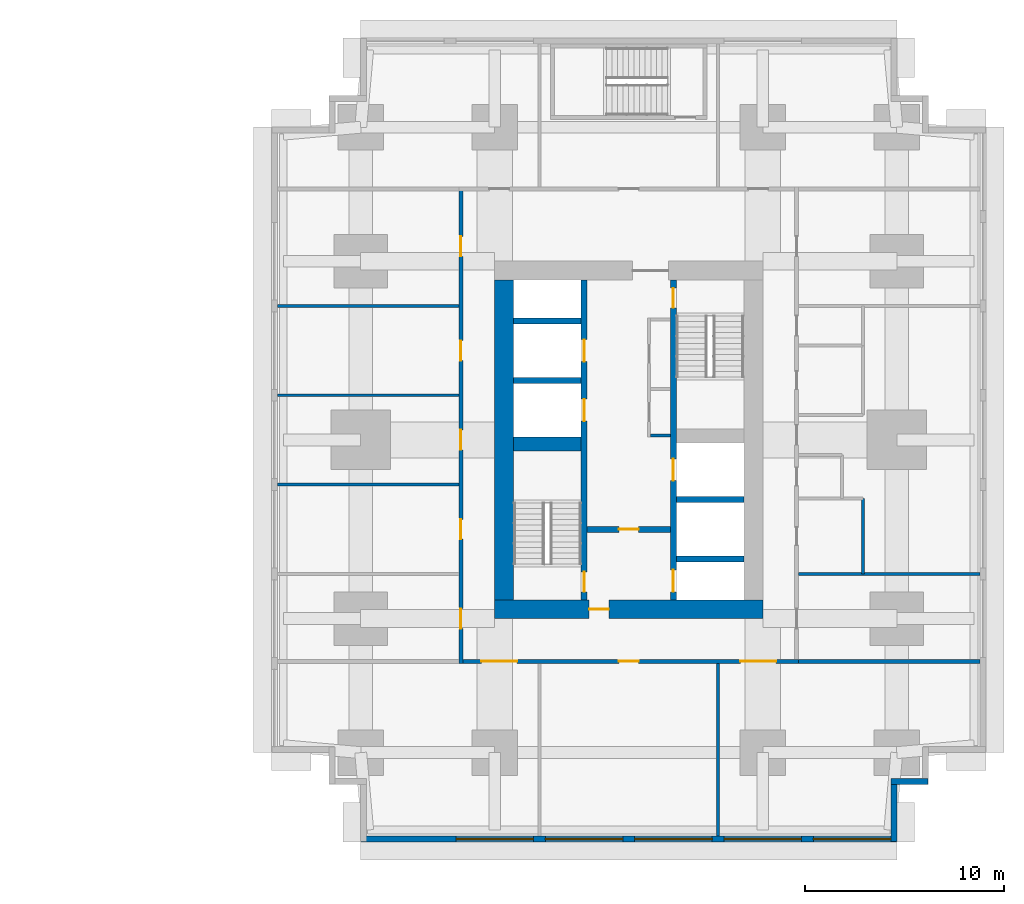
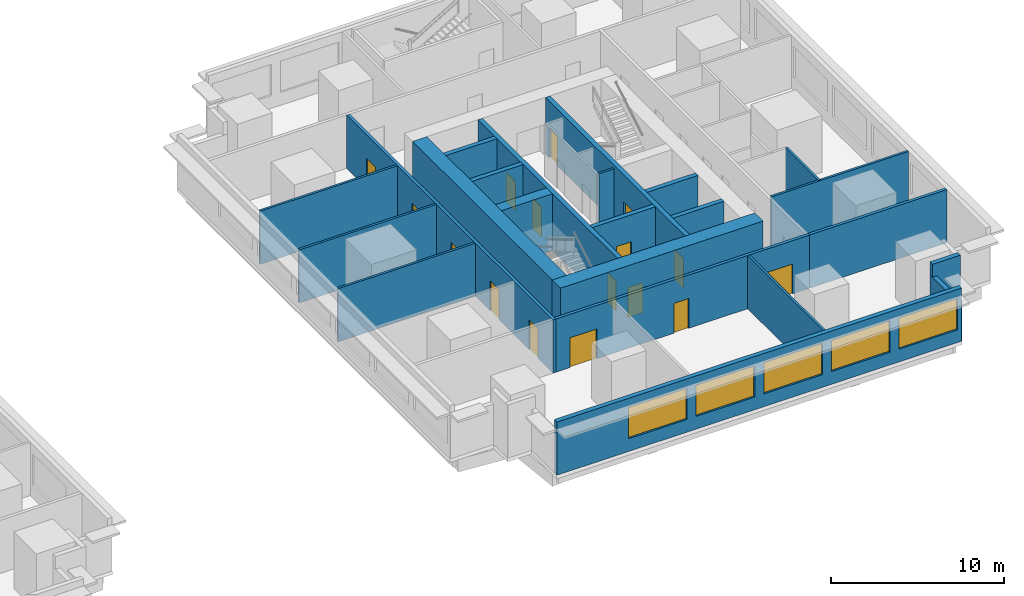
# One storey, part 6 of 11: 23 walls, 16 doors, 5 windows, 21 openings.
"""IFC4 building model written with IfcOpenShell, lengths in metres."""

from ifc_helpers import new_model, si_unit, direction, frame, frame_2d, origin, place, context, subcontext, project, spatial, rectangle, extrude, material, layer, layer_set, type_object, element, fill, save


model = new_model("IFC4")

# Units and contexts
model_context = context("Model", 3, precision=1e-05, world=origin(), true_north=direction((0.0, 1.0)))
body_context = subcontext(model_context, "Body", "Model", "MODEL_VIEW")
ifc_project = project(units=[si_unit("LENGTHUNIT", "METRE"), si_unit("AREAUNIT", "SQUARE_METRE"), si_unit("VOLUMEUNIT", "CUBIC_METRE"), si_unit("PLANEANGLEUNIT", "RADIAN"), si_unit("MASSUNIT", "GRAM", prefix="KILO")], contexts=[model_context])

# Site, building, storey
site_placement = place(None, origin())
site = spatial("IfcSite", under=ifc_project, at=site_placement, CompositionType="ELEMENT")
building_placement = place(site_placement, origin())
building = spatial("IfcBuilding", under=site, at=building_placement, Name="Namib Vertical Campus", CompositionType="ELEMENT")
storey_placement = place(building_placement, frame((0.0, 0.0, 29.0)))
storey = spatial("IfcBuildingStorey", under=building, at=storey_placement, Name="L06", CompositionType="ELEMENT", Elevation=29.0)

# Wall, openings, doors
ifc_material_1 = material(Name="Concrete C60/75", Category="concrete")
ifc_layer_1 = layer(ifc_material_1, 0.300048828125)
ifc_layer_set_1 = layer_set([ifc_layer_1], Name="Concrete C60/75")
wall_type_1 = type_object("IfcWallType", Name="Core inner wall 300", PredefinedType="SHEAR", material=ifc_layer_set_1)
wall_1_placement = place(storey_placement, frame((78.75, 12.199951171875, 0.0), z_axis=(0.0, 0.0, 1.0), x_axis=(0.0, 1.0, 0.0)))
wall_1 = element("IfcWall", 1, at=wall_1_placement, inside=storey, type_object=wall_type_1, Name="Core inner wall B L06 W1", PredefinedType="SHEAR", context=body_context, shape_type="SweptSolid", body=[
    extrude(rectangle(XDim=16.10009765625, YDim=0.300048828125, at=frame_2d((8.050048828125, 0.0))), origin(), (0.0, 0.0, 1.0), 4.0),
])
opening_1_placement = place(wall_1_placement, frame((0.39990234375, 0.0, 0.0)))
opening_1 = element("IfcOpeningElement", 2, at=opening_1_placement, cuts=wall_1, Name="Opening FD1", PredefinedType="OPENING", context=body_context, shape_type="SweptSolid", body=[
    extrude(rectangle(XDim=1.0, YDim=2.10009765625, at=frame_2d((0.5, 1.050048828125))), frame((0.0, 0.159912109375, 0.0), z_axis=(0.0, -1.0, 0.0), x_axis=(1.0, 0.0, 0.0)), (0.0, 0.0, 1.0), 0.320068359375),
])
opening_2_placement = place(wall_1_placement, frame((9.0, 0.0, 0.0)))
opening_2 = element("IfcOpeningElement", 3, at=opening_2_placement, cuts=wall_1, Name="Opening LD1", PredefinedType="OPENING", context=body_context, shape_type="SweptSolid", body=[
    extrude(rectangle(XDim=1.10009765625, YDim=2.10009765625, at=frame_2d((0.550048828125, 1.050048828125))), frame((0.0, 0.159912109375, 0.0), z_axis=(0.0, -1.0, 0.0), x_axis=(1.0, 0.0, 0.0)), (0.0, 0.0, 1.0), 0.320068359375),
])
opening_3_placement = place(wall_1_placement, frame((12.0, 0.0, 0.0)))
opening_3 = element("IfcOpeningElement", 4, at=opening_3_placement, cuts=wall_1, Name="Opening LD1", PredefinedType="OPENING", context=body_context, shape_type="SweptSolid", body=[
    extrude(rectangle(XDim=1.10009765625, YDim=2.10009765625, at=frame_2d((0.550048828125, 1.050048828125))), frame((0.0, 0.159912109375, 0.0), z_axis=(0.0, -1.0, 0.0), x_axis=(1.0, 0.0, 0.0)), (0.0, 0.0, 1.0), 0.320068359375),
])
ifc_material_2 = material(Name="Steel fire door", Category="steel")
door_type_1 = type_object("IfcDoorType", Name="Fire door 1000x2100", OperationType="SINGLE_SWING_RIGHT", PredefinedType="DOOR", material=ifc_material_2)
door_1_placement = place(opening_1_placement, origin())
door_1 = element("IfcDoor", 5, at=door_1_placement, inside=storey, type_object=door_type_1, Name="Stair door FD1 B L06 S1", OperationType="SINGLE_SWING_LEFT", OverallHeight=2.10009765625, OverallWidth=1.0, PredefinedType="DOOR", context=body_context, shape_type="SweptSolid", body=[
    extrude(rectangle(XDim=1.0, YDim=2.10009765625, at=frame_2d((0.5, 1.050048828125))), frame((0.0, 0.02490234375, 0.0), z_axis=(0.0, -1.0, 0.0), x_axis=(1.0, 0.0, 0.0)), (0.0, 0.0, 1.0), 0.050048828125),
])
fill(opening_1, door_1)
ifc_material_3 = material(Name="Stainless steel lift door", Category="steel")
door_type_2 = type_object("IfcDoorType", Name="Lift landing door 1100x2100", OperationType="DOUBLE_DOOR_SLIDING", PredefinedType="DOOR", material=ifc_material_3)
door_2_placement = place(opening_2_placement, origin())
door_2 = element("IfcDoor", 6, at=door_2_placement, inside=storey, type_object=door_type_2, Name="Lift landing door LD1 B-P1 L06", OperationType="DOUBLE_DOOR_SLIDING", OverallHeight=2.10009765625, OverallWidth=1.10009765625, PredefinedType="DOOR", context=body_context, shape_type="SweptSolid", body=[
    extrude(rectangle(XDim=1.10009765625, YDim=2.10009765625, at=frame_2d((0.550048828125, 1.050048828125))), frame((0.0, 0.02490234375, 0.0), z_axis=(0.0, -1.0, 0.0), x_axis=(1.0, 0.0, 0.0)), (0.0, 0.0, 1.0), 0.050048828125),
])
fill(opening_2, door_2)
door_3_placement = place(opening_3_placement, origin())
door_3 = element("IfcDoor", 7, at=door_3_placement, inside=storey, type_object=door_type_2, Name="Lift landing door LD1 B-P2 L06", OperationType="DOUBLE_DOOR_SLIDING", OverallHeight=2.10009765625, OverallWidth=1.10009765625, PredefinedType="DOOR", context=body_context, shape_type="SweptSolid", body=[
    extrude(rectangle(XDim=1.10009765625, YDim=2.10009765625, at=frame_2d((0.550048828125, 1.050048828125))), frame((0.0, 0.02490234375, 0.0), z_axis=(0.0, -1.0, 0.0), x_axis=(1.0, 0.0, 0.0)), (0.0, 0.0, 1.0), 0.050048828125),
])
fill(opening_3, door_3)

wall_2_placement = place(storey_placement, frame((83.25, 12.199951171875, 0.0), z_axis=(0.0, 0.0, 1.0), x_axis=(0.0, 1.0, 0.0)))
wall_2 = element("IfcWall", 8, at=wall_2_placement, inside=storey, type_object=wall_type_1, Name="Core inner wall B L06 W2", PredefinedType="SHEAR", context=body_context, shape_type="SweptSolid", body=[
    extrude(rectangle(XDim=16.10009765625, YDim=0.300048828125, at=frame_2d((8.050048828125, 0.0))), origin(), (0.0, 0.0, 1.0), 4.0),
])
opening_4_placement = place(wall_2_placement, frame((14.699951171875, 0.0, 0.0)))
opening_4 = element("IfcOpeningElement", 9, at=opening_4_placement, cuts=wall_2, Name="Opening FD1", PredefinedType="OPENING", context=body_context, shape_type="SweptSolid", body=[
    extrude(rectangle(XDim=1.0, YDim=2.10009765625, at=frame_2d((0.5, 1.050048828125))), frame((0.0, 0.159912109375, 0.0), z_axis=(0.0, -1.0, 0.0), x_axis=(1.0, 0.0, 0.0)), (0.0, 0.0, 1.0), 0.320068359375),
])
opening_5_placement = place(wall_2_placement, frame((0.39990234375, 0.0, 0.0)))
opening_5 = element("IfcOpeningElement", 10, at=opening_5_placement, cuts=wall_2, Name="Opening LD1", PredefinedType="OPENING", context=body_context, shape_type="SweptSolid", body=[
    extrude(rectangle(XDim=1.10009765625, YDim=2.10009765625, at=frame_2d((0.550048828125, 1.050048828125))), frame((0.0, 0.159912109375, 0.0), z_axis=(0.0, -1.0, 0.0), x_axis=(1.0, 0.0, 0.0)), (0.0, 0.0, 1.0), 0.320068359375),
])
opening_6_placement = place(wall_2_placement, frame((6.0, 0.0, 0.0)))
opening_6 = element("IfcOpeningElement", 11, at=opening_6_placement, cuts=wall_2, Name="Opening LD1", PredefinedType="OPENING", context=body_context, shape_type="SweptSolid", body=[
    extrude(rectangle(XDim=1.10009765625, YDim=2.10009765625, at=frame_2d((0.550048828125, 1.050048828125))), frame((0.0, 0.159912109375, 0.0), z_axis=(0.0, -1.0, 0.0), x_axis=(1.0, 0.0, 0.0)), (0.0, 0.0, 1.0), 0.320068359375),
])
door_4_placement = place(opening_4_placement, frame((1.0, 0.0, 0.0), z_axis=(0.0, 0.0, 1.0), x_axis=(-1.0, 0.0, 0.0)))
door_4 = element("IfcDoor", 12, at=door_4_placement, inside=storey, type_object=door_type_1, Name="Stair door FD1 B L06 S2", OperationType="SINGLE_SWING_LEFT", OverallHeight=2.10009765625, OverallWidth=1.0, PredefinedType="DOOR", context=body_context, shape_type="SweptSolid", body=[
    extrude(rectangle(XDim=1.0, YDim=2.10009765625, at=frame_2d((0.5, 1.050048828125))), frame((0.0, 0.02490234375, 0.0), z_axis=(0.0, -1.0, 0.0), x_axis=(1.0, 0.0, 0.0)), (0.0, 0.0, 1.0), 0.050048828125),
])
fill(opening_4, door_4)
door_5_placement = place(opening_5_placement, origin())
door_5 = element("IfcDoor", 13, at=door_5_placement, inside=storey, type_object=door_type_2, Name="Lift landing door LD1 B-FL1 L06", OperationType="DOUBLE_DOOR_SLIDING", OverallHeight=2.10009765625, OverallWidth=1.10009765625, PredefinedType="DOOR", context=body_context, shape_type="SweptSolid", body=[
    extrude(rectangle(XDim=1.10009765625, YDim=2.10009765625, at=frame_2d((0.550048828125, 1.050048828125))), frame((0.0, 0.02490234375, 0.0), z_axis=(0.0, -1.0, 0.0), x_axis=(1.0, 0.0, 0.0)), (0.0, 0.0, 1.0), 0.050048828125),
])
fill(opening_5, door_5)
door_6_placement = place(opening_6_placement, origin())
door_6 = element("IfcDoor", 14, at=door_6_placement, inside=storey, type_object=door_type_2, Name="Lift landing door LD1 B-P5 L06", OperationType="DOUBLE_DOOR_SLIDING", OverallHeight=2.10009765625, OverallWidth=1.10009765625, PredefinedType="DOOR", context=body_context, shape_type="SweptSolid", body=[
    extrude(rectangle(XDim=1.10009765625, YDim=2.10009765625, at=frame_2d((0.550048828125, 1.050048828125))), frame((0.0, 0.02490234375, 0.0), z_axis=(0.0, -1.0, 0.0), x_axis=(1.0, 0.0, 0.0)), (0.0, 0.0, 1.0), 0.050048828125),
])
fill(opening_6, door_6)

# Wall, opening, door
wall_3_placement = place(storey_placement, frame((78.89990234375, 15.75, 0.0), z_axis=(0.0, 0.0, 1.0), x_axis=(1.0, 0.0, 0.0)))
wall_3 = element("IfcWall", 15, at=wall_3_placement, inside=storey, type_object=wall_type_1, Name="Core inner wall B L06 W4", PredefinedType="SHEAR", context=body_context, shape_type="SweptSolid", body=[
    extrude(rectangle(XDim=4.2001953125, YDim=0.300048828125, at=frame_2d((2.10009765625, 0.0))), origin(), (0.0, 0.0, 1.0), 4.0),
])
opening_7_placement = place(wall_3_placement, frame((1.60009765625, 0.0, 0.0)))
opening_7 = element("IfcOpeningElement", 16, at=opening_7_placement, cuts=wall_3, Name="Opening FD5", PredefinedType="OPENING", context=body_context, shape_type="SweptSolid", body=[
    extrude(rectangle(XDim=1.0, YDim=2.10009765625, at=frame_2d((0.5, 1.050048828125))), frame((0.0, 0.159912109375, 0.0), z_axis=(0.0, -1.0, 0.0), x_axis=(1.0, 0.0, 0.0)), (0.0, 0.0, 1.0), 0.320068359375),
])
ifc_material_4 = material(Name="Steel fire door", Category="steel")
door_type_3 = type_object("IfcDoorType", Name="Fire door 1000x2100 120 min", OperationType="SINGLE_SWING_RIGHT", PredefinedType="DOOR", material=ifc_material_4)
door_7_placement = place(opening_7_placement, frame((1.0, 0.0, 0.0), z_axis=(0.0, 0.0, 1.0), x_axis=(-1.0, 0.0, 0.0)))
door_7 = element("IfcDoor", 17, at=door_7_placement, inside=storey, type_object=door_type_3, Name="Lobby door FD5 B L06", OperationType="SINGLE_SWING_RIGHT", OverallHeight=2.10009765625, OverallWidth=1.0, PredefinedType="DOOR", context=body_context, shape_type="SweptSolid", body=[
    extrude(rectangle(XDim=1.0, YDim=2.10009765625, at=frame_2d((0.5, 1.050048828125))), frame((0.0, 0.02490234375, 0.0), z_axis=(0.0, -1.0, 0.0), x_axis=(1.0, 0.0, 0.0)), (0.0, 0.0, 1.0), 0.050048828125),
])
fill(opening_7, door_7)

# Walls
for number, where, z_axis, x_axis, name in (
    (18, (83.39990234375, 14.25, 0.0), (0.0, 0.0, 1.0), (1.0, 0.0, 0.0), "Core inner wall B L06 W5"),
    (19, (83.39990234375, 17.25, 0.0), (0.0, 0.0, 1.0), (1.0, 0.0, 0.0), "Core inner wall B L06 W6"),
    (20, (75.199951171875, 23.25, 0.0), (0.0, 0.0, 1.0), (1.0, 0.0, 0.0), "Core inner wall B L06 W8"),
    (21, (75.199951171875, 26.25, 0.0), (0.0, 0.0, 1.0), (1.0, 0.0, 0.0), "Core inner wall B L06 W9"),
):
    element("IfcWall", number, at=place(storey_placement, frame(where, z_axis=z_axis, x_axis=x_axis)), inside=storey, type_object=wall_type_1, Name=name, PredefinedType="SHEAR", context=body_context, shape_type="SweptSolid", body=[
        extrude(rectangle(XDim=3.400146484375, YDim=0.300048828125, at=frame_2d((1.7001953125, 0.0))), origin(), (0.0, 0.0, 1.0), 4.0),
    ])
ifc_material_5 = material(Name="Concrete C60/75", Category="concrete")
ifc_layer_2 = layer(ifc_material_5, 0.699951171875)
ifc_layer_set_2 = layer_set([ifc_layer_2], Name="Concrete C60/75")
wall_type_2 = type_object("IfcWallType", Name="Core shear wall 700", PredefinedType="SHEAR", material=ifc_layer_set_2)
wall_4_placement = place(storey_placement, frame((75.199951171875, 20.050048828125, 0.0), z_axis=(0.0, 0.0, 1.0), x_axis=(1.0, 0.0, 0.0)))
element("IfcWall", 22, at=wall_4_placement, inside=storey, type_object=wall_type_2, Name="Core shear wall B L06 W3", PredefinedType="SHEAR", context=body_context, shape_type="SweptSolid", body=[
    extrude(rectangle(XDim=3.400146484375, YDim=0.699951171875, at=frame_2d((1.7001953125, 0.0))), origin(), (0.0, 0.0, 1.0), 4.0),
])

# Wall, opening, door
ifc_material_6 = material(Name="Concrete C60/75", Category="concrete")
ifc_layer_3 = layer(ifc_material_6, 0.949951171875)
ifc_layer_set_3 = layer_set([ifc_layer_3], Name="Concrete C60/75")
wall_type_3 = type_object("IfcWallType", Name="Core wall 950", PredefinedType="SHEAR", material=ifc_layer_set_3)
wall_5_placement = place(storey_placement, frame((74.25, 11.72509765625, 0.0), z_axis=(0.0, 0.0, 1.0), x_axis=(1.0, 0.0, 0.0)))
wall_5 = element("IfcWall", 23, at=wall_5_placement, inside=storey, type_object=wall_type_3, Name="Core wall B L06 1", PredefinedType="SHEAR", context=body_context, shape_type="SweptSolid", body=[
    extrude(rectangle(XDim=13.5, YDim=0.949951171875, at=frame_2d((6.75, 0.0))), origin(), (0.0, 0.0, 1.0), 4.0),
])
opening_8_placement = place(wall_5_placement, frame((4.75, 0.0, 0.0)))
opening_8 = element("IfcOpeningElement", 24, at=opening_8_placement, cuts=wall_5, Name="Opening FD5", PredefinedType="OPENING", context=body_context, shape_type="SweptSolid", body=[
    extrude(rectangle(XDim=1.0, YDim=2.10009765625, at=frame_2d((0.5, 1.050048828125))), frame((0.0, 0.48486328125, 0.0), z_axis=(0.0, -1.0, 0.0), x_axis=(1.0, 0.0, 0.0)), (0.0, 0.0, 1.0), 0.969970703125),
])
door_8_placement = place(opening_8_placement, origin())
door_8 = element("IfcDoor", 25, at=door_8_placement, inside=storey, type_object=door_type_3, Name="Firefighting lobby door FD5 B L06", OperationType="SINGLE_SWING_LEFT", OverallHeight=2.10009765625, OverallWidth=1.0, PredefinedType="DOOR", context=body_context, shape_type="SweptSolid", body=[
    extrude(rectangle(XDim=1.0, YDim=2.10009765625, at=frame_2d((0.5, 1.050048828125))), frame((0.0, 0.02490234375, 0.0), z_axis=(0.0, -1.0, 0.0), x_axis=(1.0, 0.0, 0.0)), (0.0, 0.0, 1.0), 0.050048828125),
])
fill(opening_8, door_8)

# Wall
wall_6_placement = place(storey_placement, frame((74.72509765625, 28.300048828125, 0.0), z_axis=(0.0, 0.0, 1.0), x_axis=(0.0, -1.0, 0.0)))
element("IfcWall", 26, at=wall_6_placement, inside=storey, type_object=wall_type_3, Name="Core wall B L06 4", PredefinedType="SHEAR", context=body_context, shape_type="SweptSolid", body=[
    extrude(rectangle(XDim=16.10009765625, YDim=0.949951171875, at=frame_2d((8.050048828125, 0.0))), origin(), (0.0, 0.0, 1.0), 4.0),
])

# Wall, openings, doors
ifc_material_7 = material(Name="Concrete masonry", Category="masonry")
ifc_layer_4 = layer(ifc_material_7, 0.199951171875)
ifc_layer_set_4 = layer_set([ifc_layer_4], Name="Corridor wall 200")
wall_type_4 = type_object("IfcWallType", Name="Corridor wall 200", PredefinedType="SOLIDWALL", material=ifc_layer_set_4)
wall_7_placement = place(storey_placement, frame((72.64990234375, 9.10009765625, 0.0), z_axis=(0.0, 0.0, 1.0), x_axis=(1.0, 0.0, 0.0)))
wall_7 = element("IfcWall", 27, at=wall_7_placement, inside=storey, type_object=wall_type_4, Name="Corridor wall B L06 CS", PredefinedType="SOLIDWALL", context=body_context, shape_type="SweptSolid", body=[
    extrude(rectangle(XDim=16.900146484375, YDim=0.199951171875, at=frame_2d((8.4501953125, 0.0))), origin(), (0.0, 0.0, 1.0), 3.75),
])
opening_9_placement = place(wall_7_placement, frame((0.925048828125, 0.0, 0.0)))
opening_9 = element("IfcOpeningElement", 28, at=opening_9_placement, cuts=wall_7, Name="Opening CD2", PredefinedType="OPENING", context=body_context, shape_type="SweptSolid", body=[
    extrude(rectangle(XDim=1.800048828125, YDim=2.10009765625, at=frame_2d((0.89990234375, 1.050048828125))), frame((0.0, 0.10986328125, 0.0), z_axis=(0.0, -1.0, 0.0), x_axis=(1.0, 0.0, 0.0)), (0.0, 0.0, 1.0), 0.219970703125),
])
opening_10_placement = place(wall_7_placement, frame((7.85009765625, 0.0, 0.0)))
opening_10 = element("IfcOpeningElement", 29, at=opening_10_placement, cuts=wall_7, Name="Opening CD1", PredefinedType="OPENING", context=body_context, shape_type="SweptSolid", body=[
    extrude(rectangle(XDim=1.0, YDim=2.10009765625, at=frame_2d((0.5, 1.050048828125))), frame((0.0, 0.10986328125, 0.0), z_axis=(0.0, -1.0, 0.0), x_axis=(1.0, 0.0, 0.0)), (0.0, 0.0, 1.0), 0.219970703125),
])
opening_11_placement = place(wall_7_placement, frame((13.97509765625, 0.0, 0.0)))
opening_11 = element("IfcOpeningElement", 30, at=opening_11_placement, cuts=wall_7, Name="Opening CD2", PredefinedType="OPENING", context=body_context, shape_type="SweptSolid", body=[
    extrude(rectangle(XDim=1.800048828125, YDim=2.10009765625, at=frame_2d((0.89990234375, 1.050048828125))), frame((0.0, 0.10986328125, 0.0), z_axis=(0.0, -1.0, 0.0), x_axis=(1.0, 0.0, 0.0)), (0.0, 0.0, 1.0), 0.219970703125),
])
ifc_material_8 = material(Name="Timber fire door leaf", Category="wood")
door_type_4 = type_object("IfcDoorType", Name="Corridor door 1000x2100 20 min", OperationType="SINGLE_SWING_LEFT", PredefinedType="DOOR", material=ifc_material_8)
door_9_placement = place(opening_10_placement, frame((1.0, 0.0, 0.0), z_axis=(0.0, 0.0, 1.0), x_axis=(-1.0, 0.0, 0.0)))
door_9 = element("IfcDoor", 31, at=door_9_placement, inside=storey, type_object=door_type_4, Name="Door CD1 B06-02", OperationType="SINGLE_SWING_RIGHT", OverallHeight=2.10009765625, OverallWidth=1.0, PredefinedType="DOOR", context=body_context, shape_type="SweptSolid", body=[
    extrude(rectangle(XDim=1.0, YDim=2.10009765625, at=frame_2d((0.5, 1.050048828125))), frame((0.0, 0.02490234375, 0.0), z_axis=(0.0, -1.0, 0.0), x_axis=(1.0, 0.0, 0.0)), (0.0, 0.0, 1.0), 0.050048828125),
])
fill(opening_10, door_9)
ifc_material_9 = material(Name="Timber fire door leaf", Category="wood")
door_type_5 = type_object("IfcDoorType", Name="Corridor door double 1800x2100 20 min", OperationType="DOUBLE_DOOR_SINGLE_SWING", PredefinedType="DOOR", material=ifc_material_9)
door_10_placement = place(opening_9_placement, frame((1.800048828125, 0.0, 0.0), z_axis=(0.0, 0.0, 1.0), x_axis=(-1.0, 0.0, 0.0)))
door_10 = element("IfcDoor", 32, at=door_10_placement, inside=storey, type_object=door_type_5, Name="Door CD2 B06-01", OperationType="DOUBLE_DOOR_SINGLE_SWING", OverallHeight=2.10009765625, OverallWidth=1.800048828125, PredefinedType="DOOR", context=body_context, shape_type="SweptSolid", body=[
    extrude(rectangle(XDim=1.800048828125, YDim=2.10009765625, at=frame_2d((0.89990234375, 1.050048828125))), frame((0.0, 0.02490234375, 0.0), z_axis=(0.0, -1.0, 0.0), x_axis=(1.0, 0.0, 0.0)), (0.0, 0.0, 1.0), 0.050048828125),
])
fill(opening_9, door_10)
door_11_placement = place(opening_11_placement, frame((1.800048828125, 0.0, 0.0), z_axis=(0.0, 0.0, 1.0), x_axis=(-1.0, 0.0, 0.0)))
door_11 = element("IfcDoor", 33, at=door_11_placement, inside=storey, type_object=door_type_5, Name="Door CD2 B06-03", OperationType="DOUBLE_DOOR_SINGLE_SWING", OverallHeight=2.10009765625, OverallWidth=1.800048828125, PredefinedType="DOOR", context=body_context, shape_type="SweptSolid", body=[
    extrude(rectangle(XDim=1.800048828125, YDim=2.10009765625, at=frame_2d((0.89990234375, 1.050048828125))), frame((0.0, 0.02490234375, 0.0), z_axis=(0.0, -1.0, 0.0), x_axis=(1.0, 0.0, 0.0)), (0.0, 0.0, 1.0), 0.050048828125),
])
fill(opening_11, door_11)

wall_8_placement = place(storey_placement, frame((72.550048828125, 32.800048828125, 0.0), z_axis=(0.0, 0.0, 1.0), x_axis=(0.0, -1.0, 0.0)))
wall_8 = element("IfcWall", 34, at=wall_8_placement, inside=storey, type_object=wall_type_4, Name="Corridor wall B L06 CW", PredefinedType="SOLIDWALL", context=body_context, shape_type="SweptSolid", body=[
    extrude(rectangle(XDim=23.800048828125, YDim=0.199951171875, at=frame_2d((11.89990234375, 0.0))), origin(), (0.0, 0.0, 1.0), 3.75),
])
opening_12_placement = place(wall_8_placement, frame((21.050048828125, 0.0, 0.0)))
opening_12 = element("IfcOpeningElement", 35, at=opening_12_placement, cuts=wall_8, Name="Opening CD1", PredefinedType="OPENING", context=body_context, shape_type="SweptSolid", body=[
    extrude(rectangle(XDim=1.0, YDim=2.10009765625, at=frame_2d((0.5, 1.050048828125))), frame((0.0, 0.10986328125, 0.0), z_axis=(0.0, -1.0, 0.0), x_axis=(1.0, 0.0, 0.0)), (0.0, 0.0, 1.0), 0.219970703125),
])
opening_13_placement = place(wall_8_placement, frame((16.550048828125, 0.0, 0.0)))
opening_13 = element("IfcOpeningElement", 36, at=opening_13_placement, cuts=wall_8, Name="Opening CD1", PredefinedType="OPENING", context=body_context, shape_type="SweptSolid", body=[
    extrude(rectangle(XDim=1.0, YDim=2.10009765625, at=frame_2d((0.5, 1.050048828125))), frame((0.0, 0.10986328125, 0.0), z_axis=(0.0, -1.0, 0.0), x_axis=(1.0, 0.0, 0.0)), (0.0, 0.0, 1.0), 0.219970703125),
])
opening_14_placement = place(wall_8_placement, frame((12.050048828125, 0.0, 0.0)))
opening_14 = element("IfcOpeningElement", 37, at=opening_14_placement, cuts=wall_8, Name="Opening CD1", PredefinedType="OPENING", context=body_context, shape_type="SweptSolid", body=[
    extrude(rectangle(XDim=1.0, YDim=2.10009765625, at=frame_2d((0.5, 1.050048828125))), frame((0.0, 0.10986328125, 0.0), z_axis=(0.0, -1.0, 0.0), x_axis=(1.0, 0.0, 0.0)), (0.0, 0.0, 1.0), 0.219970703125),
])
opening_15_placement = place(wall_8_placement, frame((7.550048828125, 0.0, 0.0)))
opening_15 = element("IfcOpeningElement", 38, at=opening_15_placement, cuts=wall_8, Name="Opening CD1", PredefinedType="OPENING", context=body_context, shape_type="SweptSolid", body=[
    extrude(rectangle(XDim=1.0, YDim=2.10009765625, at=frame_2d((0.5, 1.050048828125))), frame((0.0, 0.10986328125, 0.0), z_axis=(0.0, -1.0, 0.0), x_axis=(1.0, 0.0, 0.0)), (0.0, 0.0, 1.0), 0.219970703125),
])
opening_16_placement = place(wall_8_placement, frame((2.300048828125, 0.0, 0.0)))
opening_16 = element("IfcOpeningElement", 39, at=opening_16_placement, cuts=wall_8, Name="Opening CD1", PredefinedType="OPENING", context=body_context, shape_type="SweptSolid", body=[
    extrude(rectangle(XDim=1.0, YDim=2.10009765625, at=frame_2d((0.5, 1.050048828125))), frame((0.0, 0.10986328125, 0.0), z_axis=(0.0, -1.0, 0.0), x_axis=(1.0, 0.0, 0.0)), (0.0, 0.0, 1.0), 0.219970703125),
])
door_12_placement = place(opening_12_placement, frame((1.0, 0.0, 0.0), z_axis=(0.0, 0.0, 1.0), x_axis=(-1.0, 0.0, 0.0)))
door_12 = element("IfcDoor", 40, at=door_12_placement, inside=storey, type_object=door_type_4, Name="Door CD1 B06-14", OperationType="SINGLE_SWING_RIGHT", OverallHeight=2.10009765625, OverallWidth=1.0, PredefinedType="DOOR", context=body_context, shape_type="SweptSolid", body=[
    extrude(rectangle(XDim=1.0, YDim=2.10009765625, at=frame_2d((0.5, 1.050048828125))), frame((0.0, 0.02490234375, 0.0), z_axis=(0.0, -1.0, 0.0), x_axis=(1.0, 0.0, 0.0)), (0.0, 0.0, 1.0), 0.050048828125),
])
fill(opening_12, door_12)
door_13_placement = place(opening_13_placement, frame((1.0, 0.0, 0.0), z_axis=(0.0, 0.0, 1.0), x_axis=(-1.0, 0.0, 0.0)))
door_13 = element("IfcDoor", 41, at=door_13_placement, inside=storey, type_object=door_type_4, Name="Door CD1 B06-15", OperationType="SINGLE_SWING_RIGHT", OverallHeight=2.10009765625, OverallWidth=1.0, PredefinedType="DOOR", context=body_context, shape_type="SweptSolid", body=[
    extrude(rectangle(XDim=1.0, YDim=2.10009765625, at=frame_2d((0.5, 1.050048828125))), frame((0.0, 0.02490234375, 0.0), z_axis=(0.0, -1.0, 0.0), x_axis=(1.0, 0.0, 0.0)), (0.0, 0.0, 1.0), 0.050048828125),
])
fill(opening_13, door_13)
door_14_placement = place(opening_14_placement, frame((1.0, 0.0, 0.0), z_axis=(0.0, 0.0, 1.0), x_axis=(-1.0, 0.0, 0.0)))
door_14 = element("IfcDoor", 42, at=door_14_placement, inside=storey, type_object=door_type_4, Name="Door CD1 B06-16", OperationType="SINGLE_SWING_RIGHT", OverallHeight=2.10009765625, OverallWidth=1.0, PredefinedType="DOOR", context=body_context, shape_type="SweptSolid", body=[
    extrude(rectangle(XDim=1.0, YDim=2.10009765625, at=frame_2d((0.5, 1.050048828125))), frame((0.0, 0.02490234375, 0.0), z_axis=(0.0, -1.0, 0.0), x_axis=(1.0, 0.0, 0.0)), (0.0, 0.0, 1.0), 0.050048828125),
])
fill(opening_14, door_14)
door_15_placement = place(opening_15_placement, frame((1.0, 0.0, 0.0), z_axis=(0.0, 0.0, 1.0), x_axis=(-1.0, 0.0, 0.0)))
door_15 = element("IfcDoor", 43, at=door_15_placement, inside=storey, type_object=door_type_4, Name="Door CD1 B06-17", OperationType="SINGLE_SWING_RIGHT", OverallHeight=2.10009765625, OverallWidth=1.0, PredefinedType="DOOR", context=body_context, shape_type="SweptSolid", body=[
    extrude(rectangle(XDim=1.0, YDim=2.10009765625, at=frame_2d((0.5, 1.050048828125))), frame((0.0, 0.02490234375, 0.0), z_axis=(0.0, -1.0, 0.0), x_axis=(1.0, 0.0, 0.0)), (0.0, 0.0, 1.0), 0.050048828125),
])
fill(opening_15, door_15)
door_16_placement = place(opening_16_placement, frame((1.0, 0.0, 0.0), z_axis=(0.0, 0.0, 1.0), x_axis=(-1.0, 0.0, 0.0)))
door_16 = element("IfcDoor", 44, at=door_16_placement, inside=storey, type_object=door_type_4, Name="Door CD1 B06-18", OperationType="SINGLE_SWING_RIGHT", OverallHeight=2.10009765625, OverallWidth=1.0, PredefinedType="DOOR", context=body_context, shape_type="SweptSolid", body=[
    extrude(rectangle(XDim=1.0, YDim=2.10009765625, at=frame_2d((0.5, 1.050048828125))), frame((0.0, 0.02490234375, 0.0), z_axis=(0.0, -1.0, 0.0), x_axis=(1.0, 0.0, 0.0)), (0.0, 0.0, 1.0), 0.050048828125),
])
fill(opening_16, door_16)

# Wall
wall_9_placement = place(storey_placement, frame((89.550048828125, 9.10009765625, 0.0), z_axis=(0.0, 0.0, 1.0), x_axis=(1.0, 0.0, 0.0)))
element("IfcWall", 45, at=wall_9_placement, inside=storey, type_object=wall_type_4, Name="Partition B L06 BSE", PredefinedType="SOLIDWALL", context=body_context, shape_type="SweptSolid", body=[
    extrude(rectangle(XDim=9.14990234375, YDim=0.199951171875, at=frame_2d((4.574951171875, 0.0))), origin(), (0.0, 0.0, 1.0), 3.75),
])

# Wall, openings, windows
ifc_material_10 = material(Name="Concrete C40/50", Category="concrete")
ifc_layer_5 = layer(ifc_material_10, 0.300048828125)
ifc_layer_set_5 = layer_set([ifc_layer_5], Name="Concrete C40/50")
wall_type_5 = type_object("IfcWallType", Name="External wall 300 board-marked concrete", PredefinedType="STANDARD", material=ifc_layer_set_5)
wall_10_placement = place(storey_placement, frame((67.52001953125, 0.14990234375, 0.0), z_axis=(0.0, 0.0, 1.0), x_axis=(1.0, 0.0, 0.0)))
wall_10 = element("IfcWall", 46, at=wall_10_placement, inside=storey, type_object=wall_type_5, Name="External wall L06 F01", PredefinedType="STANDARD", context=body_context, shape_type="SweptSolid", body=[
    extrude(rectangle(XDim=26.9599609375, YDim=0.300048828125, at=frame_2d((13.47998046875, 0.0))), origin(), (0.0, 0.0, 1.0), 3.75),
])
opening_17_placement = place(wall_10_placement, frame((4.780029296875, 0.0, 0.89990234375)))
opening_17 = element("IfcOpeningElement", 47, at=opening_17_placement, cuts=wall_10, Name="Opening W1", PredefinedType="OPENING", context=body_context, shape_type="SweptSolid", body=[
    extrude(rectangle(XDim=3.89990234375, YDim=2.199951171875, at=frame_2d((1.949951171875, 1.10009765625))), frame((0.0, 0.159912109375, 0.0), z_axis=(0.0, -1.0, 0.0), x_axis=(1.0, 0.0, 0.0)), (0.0, 0.0, 1.0), 0.320068359375),
])
opening_18_placement = place(wall_10_placement, frame((9.280029296875, 0.0, 0.89990234375)))
opening_18 = element("IfcOpeningElement", 48, at=opening_18_placement, cuts=wall_10, Name="Opening W1", PredefinedType="OPENING", context=body_context, shape_type="SweptSolid", body=[
    extrude(rectangle(XDim=3.89990234375, YDim=2.199951171875, at=frame_2d((1.949951171875, 1.10009765625))), frame((0.0, 0.159912109375, 0.0), z_axis=(0.0, -1.0, 0.0), x_axis=(1.0, 0.0, 0.0)), (0.0, 0.0, 1.0), 0.320068359375),
])
opening_19_placement = place(wall_10_placement, frame((13.780029296875, 0.0, 0.89990234375)))
opening_19 = element("IfcOpeningElement", 49, at=opening_19_placement, cuts=wall_10, Name="Opening W1", PredefinedType="OPENING", context=body_context, shape_type="SweptSolid", body=[
    extrude(rectangle(XDim=3.89990234375, YDim=2.199951171875, at=frame_2d((1.949951171875, 1.10009765625))), frame((0.0, 0.159912109375, 0.0), z_axis=(0.0, -1.0, 0.0), x_axis=(1.0, 0.0, 0.0)), (0.0, 0.0, 1.0), 0.320068359375),
])
opening_20_placement = place(wall_10_placement, frame((18.280029296875, 0.0, 0.89990234375)))
opening_20 = element("IfcOpeningElement", 50, at=opening_20_placement, cuts=wall_10, Name="Opening W1", PredefinedType="OPENING", context=body_context, shape_type="SweptSolid", body=[
    extrude(rectangle(XDim=3.89990234375, YDim=2.199951171875, at=frame_2d((1.949951171875, 1.10009765625))), frame((0.0, 0.159912109375, 0.0), z_axis=(0.0, -1.0, 0.0), x_axis=(1.0, 0.0, 0.0)), (0.0, 0.0, 1.0), 0.320068359375),
])
opening_21_placement = place(wall_10_placement, frame((22.780029296875, 0.0, 0.89990234375)))
opening_21 = element("IfcOpeningElement", 51, at=opening_21_placement, cuts=wall_10, Name="Opening W1", PredefinedType="OPENING", context=body_context, shape_type="SweptSolid", body=[
    extrude(rectangle(XDim=3.89990234375, YDim=2.199951171875, at=frame_2d((1.949951171875, 1.10009765625))), frame((0.0, 0.159912109375, 0.0), z_axis=(0.0, -1.0, 0.0), x_axis=(1.0, 0.0, 0.0)), (0.0, 0.0, 1.0), 0.320068359375),
])
ifc_material_11 = material(Name="Dark tinted glass in black aluminium frame", Category="aluminium")
window_type = type_object("IfcWindowType", Name="Ribbon window 3900x2200", PartitioningType="SINGLE_PANEL", PredefinedType="WINDOW", material=ifc_material_11)
window_1_placement = place(opening_17_placement, origin())
window_1 = element("IfcWindow", 52, at=window_1_placement, inside=storey, type_object=window_type, Name="Window W1 L06 F01-2", OverallHeight=2.199951171875, OverallWidth=3.89990234375, PartitioningType="SINGLE_PANEL", PredefinedType="WINDOW", context=body_context, shape_type="SweptSolid", body=[
    extrude(rectangle(XDim=3.89990234375, YDim=2.199951171875, at=frame_2d((1.949951171875, 1.10009765625))), frame((0.0, 0.030029296875, 0.0), z_axis=(0.0, -1.0, 0.0), x_axis=(1.0, 0.0, 0.0)), (0.0, 0.0, 1.0), 0.06005859375),
])
fill(opening_17, window_1)
window_2_placement = place(opening_18_placement, origin())
window_2 = element("IfcWindow", 53, at=window_2_placement, inside=storey, type_object=window_type, Name="Window W1 L06 F01-3", OverallHeight=2.199951171875, OverallWidth=3.89990234375, PartitioningType="SINGLE_PANEL", PredefinedType="WINDOW", context=body_context, shape_type="SweptSolid", body=[
    extrude(rectangle(XDim=3.89990234375, YDim=2.199951171875, at=frame_2d((1.949951171875, 1.10009765625))), frame((0.0, 0.030029296875, 0.0), z_axis=(0.0, -1.0, 0.0), x_axis=(1.0, 0.0, 0.0)), (0.0, 0.0, 1.0), 0.06005859375),
])
fill(opening_18, window_2)
window_3_placement = place(opening_19_placement, origin())
window_3 = element("IfcWindow", 54, at=window_3_placement, inside=storey, type_object=window_type, Name="Window W1 L06 F01-4", OverallHeight=2.199951171875, OverallWidth=3.89990234375, PartitioningType="SINGLE_PANEL", PredefinedType="WINDOW", context=body_context, shape_type="SweptSolid", body=[
    extrude(rectangle(XDim=3.89990234375, YDim=2.199951171875, at=frame_2d((1.949951171875, 1.10009765625))), frame((0.0, 0.030029296875, 0.0), z_axis=(0.0, -1.0, 0.0), x_axis=(1.0, 0.0, 0.0)), (0.0, 0.0, 1.0), 0.06005859375),
])
fill(opening_19, window_3)
window_4_placement = place(opening_20_placement, origin())
window_4 = element("IfcWindow", 55, at=window_4_placement, inside=storey, type_object=window_type, Name="Window W1 L06 F01-5", OverallHeight=2.199951171875, OverallWidth=3.89990234375, PartitioningType="SINGLE_PANEL", PredefinedType="WINDOW", context=body_context, shape_type="SweptSolid", body=[
    extrude(rectangle(XDim=3.89990234375, YDim=2.199951171875, at=frame_2d((1.949951171875, 1.10009765625))), frame((0.0, 0.030029296875, 0.0), z_axis=(0.0, -1.0, 0.0), x_axis=(1.0, 0.0, 0.0)), (0.0, 0.0, 1.0), 0.06005859375),
])
fill(opening_20, window_4)
window_5_placement = place(opening_21_placement, origin())
window_5 = element("IfcWindow", 56, at=window_5_placement, inside=storey, type_object=window_type, Name="Window W1 L06 F01-6", OverallHeight=2.199951171875, OverallWidth=3.89990234375, PartitioningType="SINGLE_PANEL", PredefinedType="WINDOW", context=body_context, shape_type="SweptSolid", body=[
    extrude(rectangle(XDim=3.89990234375, YDim=2.199951171875, at=frame_2d((1.949951171875, 1.10009765625))), frame((0.0, 0.030029296875, 0.0), z_axis=(0.0, -1.0, 0.0), x_axis=(1.0, 0.0, 0.0)), (0.0, 0.0, 1.0), 0.06005859375),
])
fill(opening_21, window_5)

# Walls
wall_11_placement = place(storey_placement, frame((94.35009765625, 0.02001953125, 0.0), z_axis=(0.0, 0.0, 1.0), x_axis=(0.0, 1.0, 0.0)))
element("IfcWall", 57, at=wall_11_placement, inside=storey, type_object=wall_type_5, Name="External wall L06 F02", PredefinedType="STANDARD", context=body_context, shape_type="SweptSolid", body=[
    extrude(rectangle(XDim=3.159912109375, YDim=0.300048828125, at=frame_2d((1.580078125, 0.0))), origin(), (0.0, 0.0, 1.0), 2.85009765625),
])
wall_12_placement = place(storey_placement, frame((94.219970703125, 3.050048828125, 0.0), z_axis=(0.0, 0.0, 1.0), x_axis=(1.0, 0.0, 0.0)))
element("IfcWall", 58, at=wall_12_placement, inside=storey, type_object=wall_type_5, Name="External wall L06 F03", PredefinedType="STANDARD", context=body_context, shape_type="SweptSolid", body=[
    extrude(rectangle(XDim=1.860107421875, YDim=0.300048828125, at=frame_2d((0.93017578125, 0.0))), origin(), (0.0, 0.0, 1.0), 3.75),
])
ifc_material_12 = material(Name="Gypsum board on steel studs", Category="steel")
ifc_layer_6 = layer(ifc_material_12, 0.14990234375)
ifc_layer_set_6 = layer_set([ifc_layer_6], Name="Gypsum board on steel studs")
wall_type_6 = type_object("IfcWallType", Name="Partition 150", PredefinedType="PARTITIONING", material=ifc_layer_set_6)
wall_13_placement = place(storey_placement, frame((82.10009765625, 20.47509765625, 0.0), z_axis=(0.0, 0.0, 1.0), x_axis=(1.0, 0.0, 0.0)))
element("IfcWall", 59, at=wall_13_placement, inside=storey, type_object=wall_type_6, Name="Partition B L06 Cleaners' store and Tea point end 1", PredefinedType="PARTITIONING", context=body_context, shape_type="SweptSolid", body=[
    extrude(rectangle(XDim=1.0, YDim=0.14990234375, at=frame_2d((0.5, 0.0))), origin(), (0.0, 0.0, 1.0), 3.75),
])
wall_14_placement = place(storey_placement, frame((85.5, 0.300048828125, 0.0), z_axis=(0.0, 0.0, 1.0), x_axis=(0.0, 1.0, 0.0)))
element("IfcWall", 60, at=wall_14_placement, inside=storey, type_object=wall_type_6, Name="Partition B L06 PS2", PredefinedType="PARTITIONING", context=body_context, shape_type="SweptSolid", body=[
    extrude(rectangle(XDim=8.699951171875, YDim=0.14990234375, at=frame_2d((4.35009765625, 0.0))), origin(), (0.0, 0.0, 1.0), 3.75),
])
for number, where, z_axis, x_axis, name in (
    (61, (89.550048828125, 13.5, 0.0), (0.0, 0.0, 1.0), (1.0, 0.0, 0.0), "Partition B L06 PE1"),
    (62, (63.300048828125, 18.0, 0.0), (0.0, 0.0, 1.0), (1.0, 0.0, 0.0), "Partition B L06 PW2"),
    (63, (63.300048828125, 22.5, 0.0), (0.0, 0.0, 1.0), (1.0, 0.0, 0.0), "Partition B L06 PW3"),
    (64, (63.300048828125, 27.0, 0.0), (0.0, 0.0, 1.0), (1.0, 0.0, 0.0), "Partition B L06 PW4"),
):
    element("IfcWall", number, at=place(storey_placement, frame(where, z_axis=z_axis, x_axis=x_axis)), inside=storey, type_object=wall_type_6, Name=name, PredefinedType="PARTITIONING", context=body_context, shape_type="SweptSolid", body=[
        extrude(rectangle(XDim=9.14990234375, YDim=0.14990234375, at=frame_2d((4.574951171875, 0.0))), origin(), (0.0, 0.0, 1.0), 3.75),
    ])
wall_15_placement = place(storey_placement, frame((92.800048828125, 13.5, 0.0), z_axis=(0.0, 0.0, 1.0), x_axis=(0.0, 1.0, 0.0)))
element("IfcWall", 65, at=wall_15_placement, inside=storey, type_object=wall_type_6, Name="Partition B L06 WB1", PredefinedType="PARTITIONING", context=body_context, shape_type="SweptSolid", body=[
    extrude(rectangle(XDim=3.800048828125, YDim=0.14990234375, at=frame_2d((1.89990234375, 0.0))), origin(), (0.0, 0.0, 1.0), 3.75),
])

save(model, "model.ifc")
